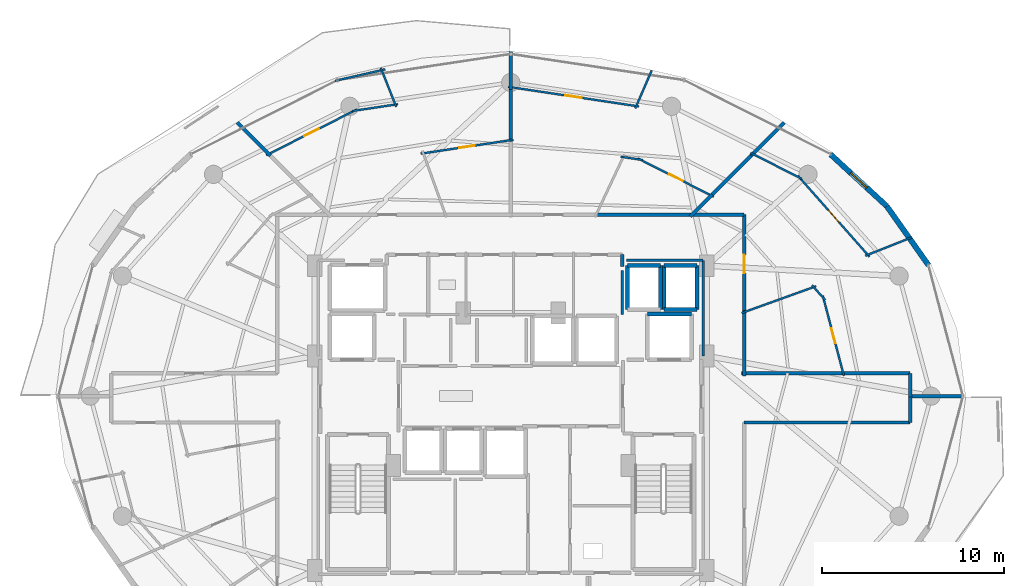
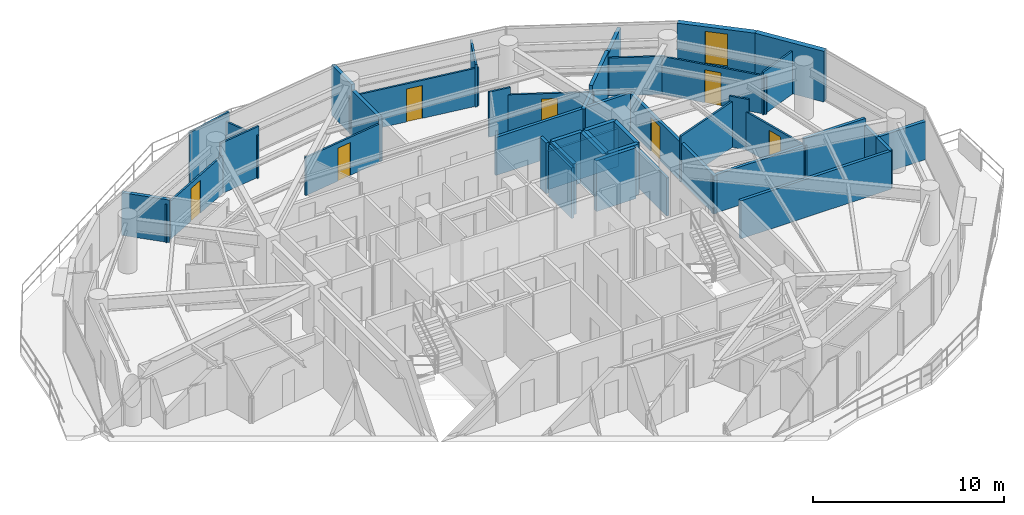
# One storey, part 26 of 31: 45 walls, 7 doors, 1 window, 8 openings.
"""IFC4 building model written with IfcOpenShell, lengths in metres."""

from ifc_helpers import new_model, si_unit, direction, frame, frame_2d, origin, place, context, subcontext, project, spatial, rectangle, extrude, material, layer, layer_set, type_object, element, fill, save


model = new_model("IFC4")

# Units and contexts
model_context = context("Model", 3, precision=1e-05, world=origin(), true_north=direction((0.0, 1.0)))
body_context = subcontext(model_context, "Body", "Model", "MODEL_VIEW")
ifc_project = project(units=[si_unit("LENGTHUNIT", "METRE"), si_unit("AREAUNIT", "SQUARE_METRE"), si_unit("VOLUMEUNIT", "CUBIC_METRE"), si_unit("PLANEANGLEUNIT", "RADIAN"), si_unit("MASSUNIT", "GRAM", prefix="KILO")], contexts=[model_context])

# Site, building, storey
site_placement = place(None, origin())
site = spatial("IfcSite", under=ifc_project, at=site_placement, CompositionType="ELEMENT")
building_placement = place(site_placement, origin())
building = spatial("IfcBuilding", under=site, at=building_placement, Name="Vorneva Point Tower", CompositionType="ELEMENT")
storey_placement = place(building_placement, frame((0.0, 0.0, 129.10009765625)))
storey = spatial("IfcBuildingStorey", under=building, at=storey_placement, Name="L34", CompositionType="ELEMENT", Elevation=129.10009765625)

# Walls
ifc_material_1 = material(Name="Concrete B60 (C50/60)", Category="concrete")
ifc_layer_1 = layer(ifc_material_1, 0.5)
ifc_layer_set_1 = layer_set([ifc_layer_1], Name="Concrete B60 (C50/60)")
wall_type_1 = type_object("IfcWallType", Name="WL-CORE-500", PredefinedType="SHEAR", material=ifc_layer_set_1)
wall_1_placement = place(storey_placement, frame((47.89990234375, 30.5, 0.0), z_axis=(0.0, 0.0, 1.0), x_axis=(-1.0, 0.0, 0.0)))
element("IfcWall", 1, at=wall_1_placement, inside=storey, type_object=wall_type_1, Name="L34 Lift FFL2 Shaft Wall +Y", PredefinedType="SHEAR", context=body_context, shape_type="SweptSolid", body=[
    extrude(rectangle(XDim=2.39990234375, YDim=0.219970703125, at=frame_2d((1.199951171875, 0.0))), origin(), (0.0, 0.0, 1.0), 3.239990234375),
])
ifc_material_2 = material(Name="Precast concrete B50 (C40/50)", Category="concrete")
ifc_layer_2 = layer(ifc_material_2, 0.300048828125)
ifc_layer_set_2 = layer_set([ifc_layer_2], Name="Precast concrete B50 (C40/50)")
wall_type_2 = type_object("IfcWallType", Name="WL-EXT-300", PredefinedType="STANDARD", material=ifc_layer_set_2)
wall_2_placement = place(storey_placement, frame((60.912109375, 33.17529296875, 0.0), z_axis=(0.0, 0.0, 1.0), x_axis=(-0.577269753207, 0.816553508371, 0.0)))
element("IfcWall", 2, at=wall_2_placement, inside=storey, type_object=wall_type_2, Name="L34 Pale-Metal Facade Spandrel Wall 02.1", PredefinedType="STANDARD", context=body_context, shape_type="SweptSolid", body=[
    extrude(rectangle(XDim=3.969970703125, YDim=0.300048828125, at=frame_2d((1.98486328125, 0.0))), origin(), (0.0, 0.0, 1.0), 3.239990234375),
])

# Wall, opening, window
wall_3_placement = place(storey_placement, frame((58.620361328125, 36.4169921875, 0.0), z_axis=(0.0, 0.0, 1.0), x_axis=(-0.735477154165, 0.677549522693, 0.0)))
wall_3 = element("IfcWall", 3, at=wall_3_placement, inside=storey, type_object=wall_type_2, Name="L34 Pale-Metal Facade Spandrel Wall 02.2", PredefinedType="STANDARD", context=body_context, shape_type="SweptSolid", body=[
    extrude(rectangle(XDim=4.193603515625, YDim=0.300048828125, at=frame_2d((2.0966796875, 0.0))), origin(), (0.0, 0.0, 1.0), 3.239990234375),
])
opening_1_placement = place(wall_3_placement, frame((1.496826171875, 0.0, 0.85009765625)))
opening_1 = element("IfcOpeningElement", 4, at=opening_1_placement, cuts=wall_3, Name="Opening W-04", PredefinedType="OPENING", context=body_context, shape_type="SweptSolid", body=[
    extrude(rectangle(XDim=1.199951171875, YDim=2.10009765625, at=frame_2d((0.60009765625, 1.050048828125))), frame((0.0, 0.1650390625, 0.0), z_axis=(0.0, -1.0, 0.0), x_axis=(1.0, 0.0, 0.0)), (0.0, 0.0, 1.0), 0.329833984375),
])
ifc_material_3 = material(Name="Double low-e laminated glass IGU", Category="glass")
window_type = type_object("IfcWindowType", Name="WN-RES-1200", PartitioningType="SINGLE_PANEL", PredefinedType="WINDOW", material=ifc_material_3)
window_placement = place(opening_1_placement, origin())
window = element("IfcWindow", 5, at=window_placement, inside=storey, type_object=window_type, Name="L34 Facade Window 02", OverallHeight=2.10009765625, OverallWidth=1.199951171875, PartitioningType="SINGLE_PANEL", PredefinedType="WINDOW", context=body_context, shape_type="SweptSolid", body=[
    extrude(rectangle(XDim=1.199951171875, YDim=2.10009765625, at=frame_2d((0.60009765625, 1.050048828125))), frame((0.0, 0.030029296875, 0.0), z_axis=(0.0, -1.0, 0.0), x_axis=(1.0, 0.0, 0.0)), (0.0, 0.0, 1.0), 0.06005859375),
])
fill(opening_1, window)

# Walls
ifc_material_4 = material(Name="Fire-rated acoustic gypsum stud partition", Category="gypsum")
ifc_layer_3 = layer(ifc_material_4, 0.110107421875)
ifc_layer_set_3 = layer_set([ifc_layer_3], Name="Fire-rated acoustic gypsum stud partition")
wall_type_3 = type_object("IfcWallType", Name="WL-PART-110", PredefinedType="PARTITIONING", material=ifc_layer_set_3)
wall_4_placement = place(storey_placement, frame((50.668212890625, 30.560546875, 0.0), z_axis=(0.0, 0.0, 1.0), x_axis=(0.94086224956, 0.33878935543, 0.0)))
element("IfcWall", 6, at=wall_4_placement, inside=storey, type_object=wall_type_3, Name="L34 Interior Partition 069", PredefinedType="PARTITIONING", context=body_context, shape_type="SweptSolid", body=[
    extrude(rectangle(XDim=4.32958984375, YDim=0.110107421875, at=frame_2d((2.164794921875, 0.0))), origin(), (0.0, 0.0, 1.0), 2.921875),
])
wall_5_placement = place(storey_placement, frame((54.517333984375, 32.0849609375, 0.0), z_axis=(0.0, 0.0, 1.0), x_axis=(0.661444121134, -0.749994449724, 0.0)))
element("IfcWall", 7, at=wall_5_placement, inside=storey, type_object=wall_type_3, Name="L34 Interior Partition 070", PredefinedType="PARTITIONING", context=body_context, shape_type="SweptSolid", body=[
    extrude(rectangle(XDim=1.091796875, YDim=0.110107421875, at=frame_2d((0.5458984375, 0.0))), origin(), (0.0, 0.0, 1.0), 3.239990234375),
])

# Wall, opening, door
wall_6_placement = place(storey_placement, frame((55.111328125, 31.50634765625, 0.0), z_axis=(0.0, 0.0, 1.0), x_axis=(0.254395386743, -0.96710029842, 0.0)))
wall_6 = element("IfcWall", 8, at=wall_6_placement, inside=storey, type_object=wall_type_3, Name="L34 Interior Partition 071", PredefinedType="PARTITIONING", context=body_context, shape_type="SweptSolid", body=[
    extrude(rectangle(XDim=4.541259765625, YDim=0.110107421875, at=frame_2d((2.2705078125, 0.0))), origin(), (0.0, 0.0, 1.0), 2.431884765625),
])
opening_2_placement = place(wall_6_placement, frame((1.845703125, 0.0, 0.0)))
opening_2 = element("IfcOpeningElement", 9, at=opening_2_placement, cuts=wall_6, Name="Opening ID-02", PredefinedType="OPENING", context=body_context, shape_type="SweptSolid", body=[
    extrude(rectangle(XDim=0.85009765625, YDim=2.10009765625, at=frame_2d((0.425048828125, 1.050048828125))), frame((0.0, 0.06982421875, 0.0), z_axis=(0.0, -1.0, 0.0), x_axis=(1.0, 0.0, 0.0)), (0.0, 0.0, 1.0), 0.139892578125),
])
ifc_material_5 = material(Name="Engineered oak fire-rated door leaf", Category="wood")
door_type_1 = type_object("IfcDoorType", Name="DR-BATH-850", OperationType="NOTDEFINED", PredefinedType="DOOR", material=ifc_material_5)
door_1_placement = place(opening_2_placement, origin())
door_1 = element("IfcDoor", 10, at=door_1_placement, inside=storey, type_object=door_type_1, Name="L34 Door Studio Apartment L34-01 / Bathroom L34-01", OperationType="SINGLE_SWING_RIGHT", OverallHeight=2.10009765625, OverallWidth=0.85009765625, PredefinedType="DOOR", context=body_context, shape_type="SweptSolid", body=[
    extrude(rectangle(XDim=0.85009765625, YDim=2.10009765625, at=frame_2d((0.425048828125, 1.050048828125))), frame((0.0, 0.02490234375, 0.0), z_axis=(0.0, -1.0, 0.0), x_axis=(1.0, 0.0, 0.0)), (0.0, 0.0, 1.0), 0.050048828125),
])
fill(opening_2, door_1)

# Wall
wall_7_placement = place(storey_placement, frame((59.9931640625, 34.70751953125, 0.0), z_axis=(0.0, 0.0, 1.0), x_axis=(-0.92976723416, -0.368147919025, 0.0)))
element("IfcWall", 11, at=wall_7_placement, inside=storey, type_object=wall_type_3, Name="L34 Interior Partition 072", PredefinedType="PARTITIONING", context=body_context, shape_type="SweptSolid", body=[
    extrude(rectangle(XDim=2.74072265625, YDim=0.110107421875, at=frame_2d((1.370361328125, 0.0))), origin(), (0.0, 0.0, 1.0), 2.727783203125),
])

# Wall, opening, door
wall_8_placement = place(storey_placement, frame((57.667724609375, 33.64501953125, 0.0), z_axis=(0.0, 0.0, 1.0), x_axis=(-0.66214504072, 0.749375703536, 0.0)))
wall_8 = element("IfcWall", 12, at=wall_8_placement, inside=storey, type_object=wall_type_3, Name="L34 Interior Partition 073", PredefinedType="PARTITIONING", context=body_context, shape_type="SweptSolid", body=[
    extrude(rectangle(XDim=5.92236328125, YDim=0.110107421875, at=frame_2d((2.961181640625, 0.0))), origin(), (0.0, 0.0, 1.0), 2.431884765625),
])
opening_3_placement = place(wall_8_placement, frame((2.510986328125, 0.0, 0.0)))
opening_3 = element("IfcOpeningElement", 13, at=opening_3_placement, cuts=wall_8, Name="Opening ID-01", PredefinedType="OPENING", context=body_context, shape_type="SweptSolid", body=[
    extrude(rectangle(XDim=0.89990234375, YDim=2.10009765625, at=frame_2d((0.449951171875, 1.050048828125))), frame((0.0, 0.06982421875, 0.0), z_axis=(0.0, -1.0, 0.0), x_axis=(1.0, 0.0, 0.0)), (0.0, 0.0, 1.0), 0.139892578125),
])
door_type_2 = type_object("IfcDoorType", Name="DR-ROOM-900", OperationType="NOTDEFINED", PredefinedType="DOOR", material=ifc_material_5)
door_2_placement = place(opening_3_placement, origin())
door_2 = element("IfcDoor", 14, at=door_2_placement, inside=storey, type_object=door_type_2, Name="L34 Door Studio Apartment L34-01 / Kitchen L34-01", OperationType="SINGLE_SWING_LEFT", OverallHeight=2.10009765625, OverallWidth=0.89990234375, PredefinedType="DOOR", context=body_context, shape_type="SweptSolid", body=[
    extrude(rectangle(XDim=0.89990234375, YDim=2.10009765625, at=frame_2d((0.449951171875, 1.050048828125))), frame((0.0, 0.02490234375, 0.0), z_axis=(0.0, -1.0, 0.0), x_axis=(1.0, 0.0, 0.0)), (0.0, 0.0, 1.0), 0.050048828125),
])
fill(opening_3, door_2)

# Walls
wall_9_placement = place(storey_placement, frame((53.964111328125, 37.914794921875, 0.0), z_axis=(0.0, 0.0, 1.0), x_axis=(-0.892546166909, 0.450956028828, 0.0)))
element("IfcWall", 15, at=wall_9_placement, inside=storey, type_object=wall_type_3, Name="L34 Interior Partition 074", PredefinedType="PARTITIONING", context=body_context, shape_type="SweptSolid", body=[
    extrude(rectangle(XDim=3.154052734375, YDim=0.110107421875, at=frame_2d((1.5771484375, 0.0))), origin(), (0.0, 0.0, 1.0), 2.431884765625),
])
wall_10_placement = place(storey_placement, frame((44.029541015625, 39.128662109375, 0.0), z_axis=(0.0, 0.0, 1.0), x_axis=(0.988983067014, -0.148028690329, 0.0)))
element("IfcWall", 16, at=wall_10_placement, inside=storey, type_object=wall_type_3, Name="L34 Interior Partition 080", PredefinedType="PARTITIONING", context=body_context, shape_type="SweptSolid", body=[
    extrude(rectangle(XDim=1.225341796875, YDim=0.110107421875, at=frame_2d((0.61279296875, 0.0))), origin(), (0.0, 0.0, 1.0), 2.8740234375),
])

# Wall, opening, door
wall_11_placement = place(storey_placement, frame((44.97802734375, 39.031005859375, 0.0), z_axis=(0.0, 0.0, 1.0), x_axis=(0.892495276856, -0.451056737882, 0.0)))
wall_11 = element("IfcWall", 17, at=wall_11_placement, inside=storey, type_object=wall_type_3, Name="L34 Interior Partition 081", PredefinedType="PARTITIONING", context=body_context, shape_type="SweptSolid", body=[
    extrude(rectangle(XDim=4.64501953125, YDim=0.110107421875, at=frame_2d((2.322509765625, 0.0))), origin(), (0.0, 0.0, 1.0), 2.431884765625),
])
opening_4_placement = place(wall_11_placement, frame((1.897705078125, 0.0, 0.0)))
opening_4 = element("IfcOpeningElement", 18, at=opening_4_placement, cuts=wall_11, Name="Opening ID-02", PredefinedType="OPENING", context=body_context, shape_type="SweptSolid", body=[
    extrude(rectangle(XDim=0.85009765625, YDim=2.10009765625, at=frame_2d((0.425048828125, 1.050048828125))), frame((0.0, 0.06982421875, 0.0), z_axis=(0.0, -1.0, 0.0), x_axis=(1.0, 0.0, 0.0)), (0.0, 0.0, 1.0), 0.139892578125),
])
door_3_placement = place(opening_4_placement, origin())
door_3 = element("IfcDoor", 19, at=door_3_placement, inside=storey, type_object=door_type_1, Name="L34 Door Studio Apartment L34-02 / Bathroom L34-02", OperationType="SINGLE_SWING_RIGHT", OverallHeight=2.10009765625, OverallWidth=0.85009765625, PredefinedType="DOOR", context=body_context, shape_type="SweptSolid", body=[
    extrude(rectangle(XDim=0.85009765625, YDim=2.10009765625, at=frame_2d((0.425048828125, 1.050048828125))), frame((0.0, 0.02490234375, 0.0), z_axis=(0.0, -1.0, 0.0), x_axis=(1.0, 0.0, 0.0)), (0.0, 0.0, 1.0), 0.050048828125),
])
fill(opening_4, door_3)

wall_12_placement = place(storey_placement, frame((45.021484375, 41.88427734375, 0.0), z_axis=(0.0, 0.0, 1.0), x_axis=(-0.988887079739, 0.148668569392, 0.0)))
wall_12 = element("IfcWall", 20, at=wall_12_placement, inside=storey, type_object=wall_type_3, Name="L34 Interior Partition 082", PredefinedType="PARTITIONING", context=body_context, shape_type="SweptSolid", body=[
    extrude(rectangle(XDim=7.240478515625, YDim=0.110107421875, at=frame_2d((3.6201171875, 0.0))), origin(), (0.0, 0.0, 1.0), 2.431884765625),
])
opening_5_placement = place(wall_12_placement, frame((3.170166015625, 0.0, 0.0)))
opening_5 = element("IfcOpeningElement", 21, at=opening_5_placement, cuts=wall_12, Name="Opening ID-01", PredefinedType="OPENING", context=body_context, shape_type="SweptSolid", body=[
    extrude(rectangle(XDim=0.89990234375, YDim=2.10009765625, at=frame_2d((0.449951171875, 1.050048828125))), frame((0.0, 0.06982421875, 0.0), z_axis=(0.0, -1.0, 0.0), x_axis=(1.0, 0.0, 0.0)), (0.0, 0.0, 1.0), 0.139892578125),
])
door_4_placement = place(opening_5_placement, origin())
door_4 = element("IfcDoor", 22, at=door_4_placement, inside=storey, type_object=door_type_2, Name="L34 Door Studio Apartment L34-02 / Kitchen L34-02", OperationType="SINGLE_SWING_LEFT", OverallHeight=2.10009765625, OverallWidth=0.89990234375, PredefinedType="DOOR", context=body_context, shape_type="SweptSolid", body=[
    extrude(rectangle(XDim=0.89990234375, YDim=2.10009765625, at=frame_2d((0.449951171875, 1.050048828125))), frame((0.0, 0.02490234375, 0.0), z_axis=(0.0, -1.0, 0.0), x_axis=(1.0, 0.0, 0.0)), (0.0, 0.0, 1.0), 0.050048828125),
])
fill(opening_5, door_4)

# Wall
wall_13_placement = place(storey_placement, frame((45.731689453125, 43.866455078125, 0.0), z_axis=(0.0, 0.0, 1.0), x_axis=(-0.397125966554, -0.91776411277, 0.0)))
element("IfcWall", 23, at=wall_13_placement, inside=storey, type_object=wall_type_3, Name="L34 Interior Partition 083", PredefinedType="PARTITIONING", context=body_context, shape_type="SweptSolid", body=[
    extrude(rectangle(XDim=2.277099609375, YDim=0.110107421875, at=frame_2d((1.138671875, 0.0))), origin(), (0.0, 0.0, 1.0), 2.727783203125),
])

# Wall, opening, door
wall_14_placement = place(storey_placement, frame((33.067626953125, 39.294189453125, 0.0), z_axis=(0.0, 0.0, 1.0), x_axis=(0.988876905643, 0.148736227888, 0.0)))
wall_14 = element("IfcWall", 24, at=wall_14_placement, inside=storey, type_object=wall_type_3, Name="L34 Interior Partition 088", PredefinedType="PARTITIONING", context=body_context, shape_type="SweptSolid", body=[
    extrude(rectangle(XDim=5.1279296875, YDim=0.110107421875, at=frame_2d((2.56396484375, 0.0))), origin(), (0.0, 0.0, 1.0), 2.431884765625),
])
opening_6_placement = place(wall_14_placement, frame((2.138916015625, 0.0, 0.0)))
opening_6 = element("IfcOpeningElement", 25, at=opening_6_placement, cuts=wall_14, Name="Opening ID-02", PredefinedType="OPENING", context=body_context, shape_type="SweptSolid", body=[
    extrude(rectangle(XDim=0.85009765625, YDim=2.10009765625, at=frame_2d((0.425048828125, 1.050048828125))), frame((0.0, 0.06982421875, 0.0), z_axis=(0.0, -1.0, 0.0), x_axis=(1.0, 0.0, 0.0)), (0.0, 0.0, 1.0), 0.139892578125),
])
door_5_placement = place(opening_6_placement, origin())
door_5 = element("IfcDoor", 26, at=door_5_placement, inside=storey, type_object=door_type_1, Name="L34 Door Studio Apartment L34-03 / Bathroom L34-03", OperationType="SINGLE_SWING_RIGHT", OverallHeight=2.10009765625, OverallWidth=0.85009765625, PredefinedType="DOOR", context=body_context, shape_type="SweptSolid", body=[
    extrude(rectangle(XDim=0.85009765625, YDim=2.10009765625, at=frame_2d((0.425048828125, 1.050048828125))), frame((0.0, 0.02490234375, 0.0), z_axis=(0.0, -1.0, 0.0), x_axis=(1.0, 0.0, 0.0)), (0.0, 0.0, 1.0), 0.050048828125),
])
fill(opening_6, door_5)

# Walls
wall_15_placement = place(storey_placement, frame((30.87158203125, 44.005126953125, 0.0), z_axis=(0.0, 0.0, 1.0), x_axis=(0.368016079814, -0.929819426017, 0.0)))
element("IfcWall", 27, at=wall_15_placement, inside=storey, type_object=wall_type_3, Name="L34 Interior Partition 089", PredefinedType="PARTITIONING", context=body_context, shape_type="SweptSolid", body=[
    extrude(rectangle(XDim=2.309326171875, YDim=0.110107421875, at=frame_2d((1.15478515625, 0.0))), origin(), (0.0, 0.0, 1.0), 2.727783203125),
])
wall_16_placement = place(storey_placement, frame((31.808349609375, 42.0087890625, 0.0), z_axis=(0.0, 0.0, 1.0), x_axis=(-0.988887788943, -0.148663851958, 0.0)))
element("IfcWall", 28, at=wall_16_placement, inside=storey, type_object=wall_type_3, Name="L34 Interior Partition 090", PredefinedType="PARTITIONING", context=body_context, shape_type="SweptSolid", body=[
    extrude(rectangle(XDim=2.547119140625, YDim=0.110107421875, at=frame_2d((1.2734375, 0.0))), origin(), (0.0, 0.0, 1.0), 3.239990234375),
])

# Wall, opening, door
wall_17_placement = place(storey_placement, frame((29.552978515625, 41.714111328125, 0.0), z_axis=(0.0, 0.0, 1.0), x_axis=(-0.892438454993, -0.451169152369, 0.0)))
wall_17 = element("IfcWall", 29, at=wall_17_placement, inside=storey, type_object=wall_type_3, Name="L34 Interior Partition 091", PredefinedType="PARTITIONING", context=body_context, shape_type="SweptSolid", body=[
    extrude(rectangle(XDim=5.548828125, YDim=0.110107421875, at=frame_2d((2.7744140625, 0.0))), origin(), (0.0, 0.0, 1.0), 2.431884765625),
])
opening_7_placement = place(wall_17_placement, frame((2.32421875, 0.0, 0.0)))
opening_7 = element("IfcOpeningElement", 30, at=opening_7_placement, cuts=wall_17, Name="Opening ID-01", PredefinedType="OPENING", context=body_context, shape_type="SweptSolid", body=[
    extrude(rectangle(XDim=0.89990234375, YDim=2.10009765625, at=frame_2d((0.449951171875, 1.050048828125))), frame((0.0, 0.06982421875, 0.0), z_axis=(0.0, -1.0, 0.0), x_axis=(1.0, 0.0, 0.0)), (0.0, 0.0, 1.0), 0.139892578125),
])
door_6_placement = place(opening_7_placement, origin())
door_6 = element("IfcDoor", 31, at=door_6_placement, inside=storey, type_object=door_type_2, Name="L34 Door Studio Apartment L34-03 / Kitchen L34-03", OperationType="SINGLE_SWING_LEFT", OverallHeight=2.10009765625, OverallWidth=0.89990234375, PredefinedType="DOOR", context=body_context, shape_type="SweptSolid", body=[
    extrude(rectangle(XDim=0.89990234375, YDim=2.10009765625, at=frame_2d((0.449951171875, 1.050048828125))), frame((0.0, 0.02490234375, 0.0), z_axis=(0.0, -1.0, 0.0), x_axis=(1.0, 0.0, 0.0)), (0.0, 0.0, 1.0), 0.050048828125),
])
fill(opening_7, door_6)

# Walls
wall_18_placement = place(storey_placement, frame((31.118408203125, 43.92041015625, 0.0), z_axis=(0.0, 0.0, 1.0), x_axis=(-0.974594373263, -0.223977247963, 0.0)))
element("IfcWall", 32, at=wall_18_placement, inside=storey, type_object=wall_type_3, Name="L34 Interior Partition 092", PredefinedType="PARTITIONING", context=body_context, shape_type="SweptSolid", body=[
    extrude(rectangle(XDim=2.82958984375, YDim=0.110107421875, at=frame_2d((1.414794921875, 0.0))), origin(), (0.0, 0.0, 1.0), 3.239990234375),
])
ifc_layer_4 = layer(ifc_material_4, 0.139892578125)
ifc_layer_set_4 = layer_set([ifc_layer_4], Name="Fire-rated acoustic gypsum stud partition")
wall_type_4 = type_object("IfcWallType", Name="WL-PART-140", PredefinedType="PARTITIONING", material=ifc_layer_set_4)
wall_19_placement = place(storey_placement, frame((44.1201171875, 30.47998046875, 0.0), z_axis=(0.0, 0.0, 1.0), x_axis=(0.0, 1.0, 0.0)))
element("IfcWall", 33, at=wall_19_placement, inside=storey, type_object=wall_type_4, Name="L34 Interior Closure Partition 138", PredefinedType="PARTITIONING", context=body_context, shape_type="SweptSolid", body=[
    extrude(rectangle(XDim=2.409912109375, YDim=0.139892578125, at=frame_2d((1.205078125, 0.0))), origin(), (0.0, 0.0, 1.0), 3.239990234375),
])
wall_20_placement = place(storey_placement, frame((48.550048828125, 28.196044921875, 0.0), z_axis=(0.0, 0.0, 1.0), x_axis=(0.0, 1.0, 0.0)))
element("IfcWall", 34, at=wall_20_placement, inside=storey, type_object=wall_type_4, Name="L34 Interior Closure Partition 145", PredefinedType="PARTITIONING", context=body_context, shape_type="SweptSolid", body=[
    extrude(rectangle(XDim=5.25390625, YDim=0.139892578125, at=frame_2d((2.626953125, 0.0))), origin(), (0.0, 0.0, 1.0), 2.431884765625),
])
wall_21_placement = place(storey_placement, frame((48.550048828125, 33.449951171875, 0.0), z_axis=(0.0, 0.0, 1.0), x_axis=(-1.0, 0.0, 0.0)))
element("IfcWall", 35, at=wall_21_placement, inside=storey, type_object=wall_type_4, Name="L34 Interior Closure Partition 146", PredefinedType="PARTITIONING", context=body_context, shape_type="SweptSolid", body=[
    extrude(rectangle(XDim=4.2099609375, YDim=0.139892578125, at=frame_2d((2.10498046875, 0.0))), origin(), (0.0, 0.0, 1.0), 2.431884765625),
])
ifc_material_6 = material(Name="Autoclaved aerated concrete blockwork", Category="masonry")
ifc_layer_5 = layer(ifc_material_6, 0.179931640625)
ifc_layer_set_5 = layer_set([ifc_layer_5], Name="Autoclaved aerated concrete blockwork")
wall_type_5 = type_object("IfcWallType", Name="WL-PART-180", PredefinedType="PARTITIONING", material=ifc_layer_set_5)
wall_22_placement = place(storey_placement, frame((44.1201171875, 33.110107421875, 0.0), z_axis=(0.0, 0.0, 1.0), x_axis=(0.0, 1.0, 0.0)))
element("IfcWall", 36, at=wall_22_placement, inside=storey, type_object=wall_type_5, Name="L34 Interior Partition 030", PredefinedType="PARTITIONING", context=body_context, shape_type="SweptSolid", body=[
    extrude(rectangle(XDim=0.64990234375, YDim=0.179931640625, at=frame_2d((0.324951171875, 0.0))), origin(), (0.0, 0.0, 1.0), 3.239990234375),
])
wall_23_placement = place(storey_placement, frame((59.89990234375, 25.93994140625, 0.0), z_axis=(0.0, 0.0, 1.0), x_axis=(0.0, 1.0, 0.0)))
element("IfcWall", 37, at=wall_23_placement, inside=storey, type_object=wall_type_5, Name="L34 Interior Partition 034", PredefinedType="PARTITIONING", context=body_context, shape_type="SweptSolid", body=[
    extrude(rectangle(XDim=1.31005859375, YDim=0.179931640625, at=frame_2d((0.655029296875, 0.0))), origin(), (0.0, 0.0, 1.0), 2.431884765625),
])
wall_24_placement = place(storey_placement, frame((59.89990234375, 27.25, 0.0), z_axis=(0.0, 0.0, 1.0), x_axis=(-1.0, 0.0, 0.0)))
element("IfcWall", 38, at=wall_24_placement, inside=storey, type_object=wall_type_5, Name="L34 Interior Partition 035", PredefinedType="PARTITIONING", context=body_context, shape_type="SweptSolid", body=[
    extrude(rectangle(XDim=3.73095703125, YDim=0.179931640625, at=frame_2d((1.865478515625, 0.0))), origin(), (0.0, 0.0, 1.0), 2.8740234375),
])

# Wall, opening, door
wall_25_placement = place(storey_placement, frame((50.800048828125, 30.548095703125, 0.0), z_axis=(0.0, 0.0, 1.0), x_axis=(0.0, 1.0, 0.0)))
wall_25 = element("IfcWall", 39, at=wall_25_placement, inside=storey, type_object=wall_type_5, Name="L34 Interior Partition 036", PredefinedType="PARTITIONING", context=body_context, shape_type="SweptSolid", body=[
    extrude(rectangle(XDim=5.40185546875, YDim=0.179931640625, at=frame_2d((2.700927734375, 0.0))), origin(), (0.0, 0.0, 1.0), 2.431884765625),
])
opening_8_placement = place(wall_25_placement, frame((2.200927734375, 0.0, 0.0)))
opening_8 = element("IfcOpeningElement", 40, at=opening_8_placement, cuts=wall_25, Name="Opening UD-01", PredefinedType="OPENING", context=body_context, shape_type="SweptSolid", body=[
    extrude(rectangle(XDim=1.0, YDim=2.14990234375, at=frame_2d((0.5, 1.074951171875))), frame((0.0, 0.10498046875, 0.0), z_axis=(0.0, -1.0, 0.0), x_axis=(1.0, 0.0, 0.0)), (0.0, 0.0, 1.0), 0.209716796875),
])
door_type_3 = type_object("IfcDoorType", Name="DR-UNIT-1000", OperationType="NOTDEFINED", PredefinedType="DOOR", material=ifc_material_5)
door_7_placement = place(opening_8_placement, origin())
door_7 = element("IfcDoor", 41, at=door_7_placement, inside=storey, type_object=door_type_3, Name="L34 Door L34 Circulation Corridor / Studio Apartment L34-01", OperationType="SINGLE_SWING_RIGHT", OverallHeight=2.14990234375, OverallWidth=1.0, PredefinedType="DOOR", context=body_context, shape_type="SweptSolid", body=[
    extrude(rectangle(XDim=1.0, YDim=2.14990234375, at=frame_2d((0.5, 1.074951171875))), frame((0.0, 0.02490234375, 0.0), z_axis=(0.0, -1.0, 0.0), x_axis=(1.0, 0.0, 0.0)), (0.0, 0.0, 1.0), 0.050048828125),
])
fill(opening_8, door_7)

# Walls
wall_26_placement = place(storey_placement, frame((50.800048828125, 35.949951171875, 0.0), z_axis=(0.0, 0.0, 1.0), x_axis=(-1.0, 0.0, 0.0)))
element("IfcWall", 42, at=wall_26_placement, inside=storey, type_object=wall_type_5, Name="L34 Interior Partition 037", PredefinedType="PARTITIONING", context=body_context, shape_type="SweptSolid", body=[
    extrude(rectangle(XDim=2.91015625, YDim=0.179931640625, at=frame_2d((1.455078125, 0.0))), origin(), (0.0, 0.0, 1.0), 2.431884765625),
])
wall_27_placement = place(storey_placement, frame((56.30908203125, 27.25, 0.0), z_axis=(0.0, 0.0, 1.0), x_axis=(-1.0, 0.0, 0.0)))
element("IfcWall", 43, at=wall_27_placement, inside=storey, type_object=wall_type_5, Name="L34 Interior Partition 038", PredefinedType="PARTITIONING", context=body_context, shape_type="SweptSolid", body=[
    extrude(rectangle(XDim=5.649169921875, YDim=0.179931640625, at=frame_2d((2.82470703125, 0.0))), origin(), (0.0, 0.0, 1.0), 2.431884765625),
])
wall_28_placement = place(storey_placement, frame((50.800048828125, 27.110107421875, 0.0), z_axis=(0.0, 0.0, 1.0), x_axis=(0.0, 1.0, 0.0)))
element("IfcWall", 44, at=wall_28_placement, inside=storey, type_object=wall_type_5, Name="L34 Interior Partition 039", PredefinedType="PARTITIONING", context=body_context, shape_type="SweptSolid", body=[
    extrude(rectangle(XDim=3.577880859375, YDim=0.179931640625, at=frame_2d((1.7890625, 0.0))), origin(), (0.0, 0.0, 1.0), 2.431884765625),
])
wall_29_placement = place(storey_placement, frame((48.030029296875, 35.949951171875, 0.0), z_axis=(0.0, 0.0, 1.0), x_axis=(-1.0, 0.0, 0.0)))
element("IfcWall", 45, at=wall_29_placement, inside=storey, type_object=wall_type_5, Name="L34 Interior Partition 041", PredefinedType="PARTITIONING", context=body_context, shape_type="SweptSolid", body=[
    extrude(rectangle(XDim=5.422119140625, YDim=0.179931640625, at=frame_2d((2.7109375, 0.0))), origin(), (0.0, 0.0, 1.0), 2.431884765625),
])
wall_30_placement = place(storey_placement, frame((50.800048828125, 24.550048828125, 0.0), z_axis=(0.0, 0.0, 1.0), x_axis=(1.0, 0.0, 0.0)))
element("IfcWall", 46, at=wall_30_placement, inside=storey, type_object=wall_type_5, Name="L34 Interior Partition 067", PredefinedType="PARTITIONING", context=body_context, shape_type="SweptSolid", body=[
    extrude(rectangle(XDim=9.099853515625, YDim=0.179931640625, at=frame_2d((4.5498046875, 0.0))), origin(), (0.0, 0.0, 1.0), 2.431884765625),
])
wall_31_placement = place(storey_placement, frame((59.89990234375, 24.550048828125, 0.0), z_axis=(0.0, 0.0, 1.0), x_axis=(0.0, 1.0, 0.0)))
element("IfcWall", 47, at=wall_31_placement, inside=storey, type_object=wall_type_5, Name="L34 Interior Partition 068", PredefinedType="PARTITIONING", context=body_context, shape_type="SweptSolid", body=[
    extrude(rectangle(XDim=1.389892578125, YDim=0.179931640625, at=frame_2d((0.69482421875, 0.0))), origin(), (0.0, 0.0, 1.0), 2.431884765625),
])
ifc_layer_6 = layer(ifc_material_6, 0.199951171875)
ifc_layer_set_6 = layer_set([ifc_layer_6], Name="Autoclaved aerated concrete blockwork")
wall_type_6 = type_object("IfcWallType", Name="WL-PART-200", PredefinedType="PARTITIONING", material=ifc_layer_set_6)
wall_32_placement = place(storey_placement, frame((51.27392578125, 39.27392578125, 0.0), z_axis=(0.0, 0.0, 1.0), x_axis=(-0.707106781187, -0.707106781187, 0.0)))
element("IfcWall", 48, at=wall_32_placement, inside=storey, type_object=wall_type_6, Name="L34 Interior Partition 075", PredefinedType="PARTITIONING", context=body_context, shape_type="SweptSolid", body=[
    extrude(rectangle(XDim=3.28076171875, YDim=0.199951171875, at=frame_2d((1.640380859375, 0.0))), origin(), (0.0, 0.0, 1.0), 2.8740234375),
])
wall_33_placement = place(storey_placement, frame((49.052978515625, 37.052978515625, 0.0), z_axis=(0.0, 0.0, 1.0), x_axis=(-0.707106781187, -0.707106781187, 0.0)))
element("IfcWall", 49, at=wall_33_placement, inside=storey, type_object=wall_type_6, Name="L34 Interior Partition 076", PredefinedType="PARTITIONING", context=body_context, shape_type="SweptSolid", body=[
    extrude(rectangle(XDim=1.69970703125, YDim=0.199951171875, at=frame_2d((0.849853515625, 0.0))), origin(), (0.0, 0.0, 1.0), 2.431884765625),
])
wall_34_placement = place(storey_placement, frame((59.89990234375, 26.0, 0.0), z_axis=(0.0, 0.0, 1.0), x_axis=(1.0, 0.0, 0.0)))
element("IfcWall", 50, at=wall_34_placement, inside=storey, type_object=wall_type_6, Name="L34 Interior Partition 077", PredefinedType="PARTITIONING", context=body_context, shape_type="SweptSolid", body=[
    extrude(rectangle(XDim=2.899169921875, YDim=0.199951171875, at=frame_2d((1.44970703125, 0.0))), origin(), (0.0, 0.0, 1.0), 2.431884765625),
])
wall_35_placement = place(storey_placement, frame((52.993896484375, 40.993896484375, 0.0), z_axis=(0.0, 0.0, 1.0), x_axis=(-0.707106781187, -0.707106781187, 0.0)))
element("IfcWall", 51, at=wall_35_placement, inside=storey, type_object=wall_type_6, Name="L34 Interior Partition 078", PredefinedType="PARTITIONING", context=body_context, shape_type="SweptSolid", body=[
    extrude(rectangle(XDim=2.572265625, YDim=0.199951171875, at=frame_2d((1.2861328125, 0.0))), origin(), (0.0, 0.0, 1.0), 2.727783203125),
])
wall_36_placement = place(storey_placement, frame((38.0, 42.93994140625, 0.0), z_axis=(0.0, 0.0, 1.0), x_axis=(0.0, -1.0, 0.0)))
element("IfcWall", 52, at=wall_36_placement, inside=storey, type_object=wall_type_6, Name="L34 Interior Partition 084", PredefinedType="PARTITIONING", context=body_context, shape_type="SweptSolid", body=[
    extrude(rectangle(XDim=2.96484375, YDim=0.199951171875, at=frame_2d((1.482421875, 0.0))), origin(), (0.0, 0.0, 1.0), 2.8740234375),
])
wall_37_placement = place(storey_placement, frame((38.0, 44.889892578125, 0.0), z_axis=(0.0, 0.0, 1.0), x_axis=(0.0, -1.0, 0.0)))
element("IfcWall", 53, at=wall_37_placement, inside=storey, type_object=wall_type_6, Name="L34 Interior Partition 086", PredefinedType="PARTITIONING", context=body_context, shape_type="SweptSolid", body=[
    extrude(rectangle(XDim=2.08984375, YDim=0.199951171875, at=frame_2d((1.044921875, 0.0))), origin(), (0.0, 0.0, 1.0), 3.239990234375),
])
wall_38_placement = place(storey_placement, frame((23.006103515625, 40.993896484375, 0.0), z_axis=(0.0, 0.0, 1.0), x_axis=(0.707106781187, -0.707106781187, 0.0)))
element("IfcWall", 54, at=wall_38_placement, inside=storey, type_object=wall_type_6, Name="L34 Interior Partition 095", PredefinedType="PARTITIONING", context=body_context, shape_type="SweptSolid", body=[
    extrude(rectangle(XDim=2.572265625, YDim=0.199951171875, at=frame_2d((1.2861328125, 0.0))), origin(), (0.0, 0.0, 1.0), 2.727783203125),
])
ifc_material_7 = material(Name="Concrete B50 (C40/50)", Category="concrete")
ifc_layer_7 = layer(ifc_material_7, 0.219970703125)
ifc_layer_set_7 = layer_set([ifc_layer_7], Name="Concrete B50 (C40/50)")
wall_type_7 = type_object("IfcWallType", Name="WL-SHFT-220", PredefinedType="SOLIDWALL", material=ifc_layer_set_7)
wall_39_placement = place(storey_placement, frame((46.199951171875, 30.739990234375, 0.0), z_axis=(0.0, 0.0, 1.0), x_axis=(0.0, 1.0, 0.0)))
element("IfcWall", 55, at=wall_39_placement, inside=storey, type_object=wall_type_7, Name="L34 Lift EX1 Shaft Wall +X", PredefinedType="SOLIDWALL", context=body_context, shape_type="SweptSolid", body=[
    extrude(rectangle(XDim=2.419921875, YDim=0.219970703125, at=frame_2d((1.2099609375, 0.0))), origin(), (0.0, 0.0, 1.0), 3.239990234375),
])
wall_40_placement = place(storey_placement, frame((46.199951171875, 33.159912109375, 0.0), z_axis=(0.0, 0.0, 1.0), x_axis=(-1.0, 0.0, 0.0)))
element("IfcWall", 56, at=wall_40_placement, inside=storey, type_object=wall_type_7, Name="L34 Lift EX1 Shaft Wall +Y", PredefinedType="SOLIDWALL", context=body_context, shape_type="SweptSolid", body=[
    extrude(rectangle(XDim=1.800048828125, YDim=0.219970703125, at=frame_2d((0.89990234375, 0.0))), origin(), (0.0, 0.0, 1.0), 3.239990234375),
])
wall_41_placement = place(storey_placement, frame((44.39990234375, 33.159912109375, 0.0), z_axis=(0.0, 0.0, 1.0), x_axis=(0.0, -1.0, 0.0)))
element("IfcWall", 57, at=wall_41_placement, inside=storey, type_object=wall_type_7, Name="L34 Lift EX1 Shaft Wall -X", PredefinedType="SOLIDWALL", context=body_context, shape_type="SweptSolid", body=[
    extrude(rectangle(XDim=2.419921875, YDim=0.219970703125, at=frame_2d((1.2099609375, 0.0))), origin(), (0.0, 0.0, 1.0), 3.239990234375),
])
wall_42_placement = place(storey_placement, frame((46.39990234375, 30.739990234375, 0.0), z_axis=(0.0, 0.0, 1.0), x_axis=(1.0, 0.0, 0.0)))
element("IfcWall", 58, at=wall_42_placement, inside=storey, type_object=wall_type_7, Name="L34 Lift EX2 Shaft Wall -Y", PredefinedType="SOLIDWALL", context=body_context, shape_type="SweptSolid", body=[
    extrude(rectangle(XDim=1.800048828125, YDim=0.219970703125, at=frame_2d((0.89990234375, 0.0))), origin(), (0.0, 0.0, 1.0), 3.239990234375),
])
wall_43_placement = place(storey_placement, frame((48.199951171875, 30.739990234375, 0.0), z_axis=(0.0, 0.0, 1.0), x_axis=(0.0, 1.0, 0.0)))
element("IfcWall", 59, at=wall_43_placement, inside=storey, type_object=wall_type_7, Name="L34 Lift EX2 Shaft Wall +X", PredefinedType="SOLIDWALL", context=body_context, shape_type="SweptSolid", body=[
    extrude(rectangle(XDim=2.419921875, YDim=0.219970703125, at=frame_2d((1.2099609375, 0.0))), origin(), (0.0, 0.0, 1.0), 3.239990234375),
])
wall_44_placement = place(storey_placement, frame((48.199951171875, 33.159912109375, 0.0), z_axis=(0.0, 0.0, 1.0), x_axis=(-1.0, 0.0, 0.0)))
element("IfcWall", 60, at=wall_44_placement, inside=storey, type_object=wall_type_7, Name="L34 Lift EX2 Shaft Wall +Y", PredefinedType="SOLIDWALL", context=body_context, shape_type="SweptSolid", body=[
    extrude(rectangle(XDim=1.800048828125, YDim=0.219970703125, at=frame_2d((0.89990234375, 0.0))), origin(), (0.0, 0.0, 1.0), 3.239990234375),
])
wall_45_placement = place(storey_placement, frame((46.39990234375, 33.159912109375, 0.0), z_axis=(0.0, 0.0, 1.0), x_axis=(0.0, -1.0, 0.0)))
element("IfcWall", 61, at=wall_45_placement, inside=storey, type_object=wall_type_7, Name="L34 Lift EX2 Shaft Wall -X", PredefinedType="SOLIDWALL", context=body_context, shape_type="SweptSolid", body=[
    extrude(rectangle(XDim=2.419921875, YDim=0.219970703125, at=frame_2d((1.2099609375, 0.0))), origin(), (0.0, 0.0, 1.0), 3.239990234375),
])

save(model, "model.ifc")
